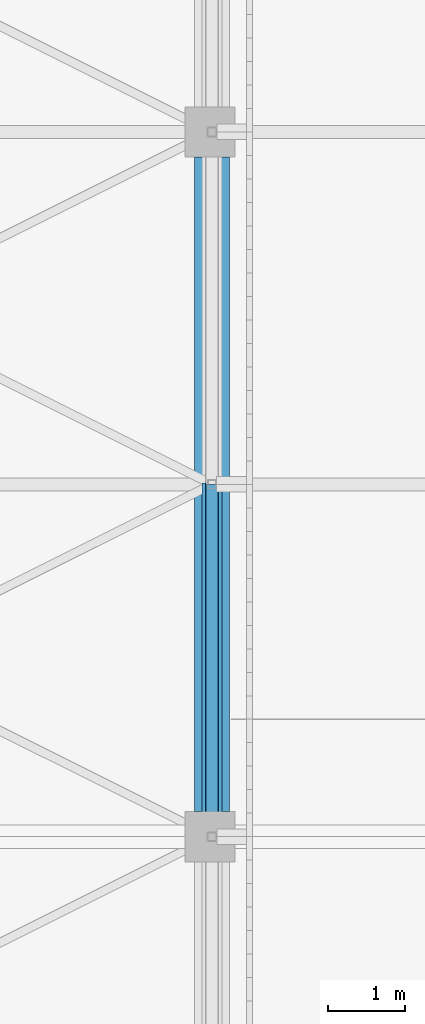
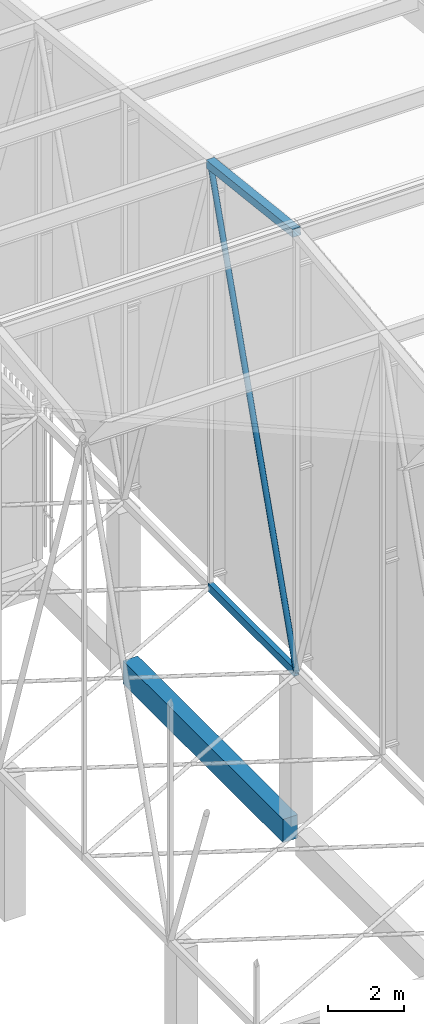
# One storey, part 374 of 500: 3 members, 1 beam.
"""IFC4 building model written with IfcOpenShell, lengths in metres."""

from ifc_helpers import new_model, si_unit, direction, frame, origin, origin_2d, place, context, subcontext, project, spatial, rectangle, hollow_rectangle, hollow_circle, extrude, material, material_profile, profile_set, type_object, element, save


model = new_model("IFC4")

# Units and contexts
model_context = context("Model", 3, precision=1e-05, world=origin(), true_north=direction((0.0, 1.0)))
body_context = subcontext(model_context, "Body", "Model", "MODEL_VIEW")
ifc_project = project(units=[si_unit("LENGTHUNIT", "METRE"), si_unit("AREAUNIT", "SQUARE_METRE"), si_unit("VOLUMEUNIT", "CUBIC_METRE"), si_unit("PLANEANGLEUNIT", "RADIAN"), si_unit("MASSUNIT", "GRAM", prefix="KILO")], contexts=[model_context])

# Site, building, storey
site_placement = place(None, origin())
site = spatial("IfcSite", under=ifc_project, at=site_placement, CompositionType="ELEMENT")
building_placement = place(site_placement, origin())
building = spatial("IfcBuilding", under=site, at=building_placement, Name="Shirokan Park Arena", CompositionType="ELEMENT")
storey_placement = place(building_placement, frame((0.0, 0.0, 29.1201171875)))
storey = spatial("IfcBuildingStorey", under=building, at=storey_placement, Name="L06", CompositionType="ELEMENT", Elevation=29.1201171875)

# Member
ifc_material_1 = material(Name="Steel ASTM A500 Grade C", Category="steel")
ifc_material_profile_1 = material_profile(ifc_material_1, hollow_rectangle(XDim=0.152099609375, YDim=0.25390625, WallThickness=0.009521484375, at=origin_2d()), Name="HSS254X152.4X9.5")
ifc_profile_set_1 = profile_set([ifc_material_profile_1], Name="Steel ASTM A500 Grade C")
member_type_1 = type_object("IfcMemberType", Name="Bottom chord HSS254X152.4X9.5", PredefinedType="CHORD", material=ifc_profile_set_1)
member_1_placement = place(storey_placement, frame((145.60009765625, 54.60009765625, 4.677001953125), z_axis=(0.0, 1.0, 0.0), x_axis=(-1.0, 0.0, 0.0)))
element("IfcMember", 1, at=member_1_placement, inside=storey, type_object=member_type_1, Name="Truss T17 bottom chord 15", PredefinedType="CHORD", context=body_context, shape_type="SweptSolid", body=[
    extrude(hollow_rectangle(XDim=0.152099609375, YDim=0.25390625, WallThickness=0.009521484375, at=origin_2d()), origin(), (0.0, 0.0, 1.0), 4.5498046875),
])

# Beam
ifc_material_2 = material(Name="Concrete C35", Category="concrete")
ifc_material_profile_2 = material_profile(ifc_material_2, rectangle(XDim=0.449951171875, YDim=0.75, at=origin_2d()), Name="450x750")
ifc_profile_set_2 = profile_set([ifc_material_profile_2], Name="Concrete C35")
beam_type = type_object("IfcBeamType", Name="RC girder 450x750", PredefinedType="BEAM", material=ifc_profile_set_2)
beam_placement = place(storey_placement, frame((145.60009765625, 54.925048828125, -0.5751953125), z_axis=(0.0, 1.0, 0.0), x_axis=(-1.0, 0.0, 0.0)))
element("IfcBeam", 2, at=beam_placement, inside=storey, type_object=beam_type, Name="Girder 17G-17H L06", PredefinedType="BEAM", context=body_context, shape_type="SweptSolid", body=[
    extrude(rectangle(XDim=0.449951171875, YDim=0.75, at=origin_2d()), origin(), (0.0, 0.0, 1.0), 8.449951171875),
])

# Members
ifc_material_profile_3 = material_profile(ifc_material_1, hollow_rectangle(XDim=0.25390625, YDim=0.25390625, WallThickness=0.009521484375, at=origin_2d()), Name="HSS254X254X9.5")
ifc_profile_set_3 = profile_set([ifc_material_profile_3], Name="Steel ASTM A500 Grade C")
member_type_2 = type_object("IfcMemberType", Name="Top chord HSS254X254X9.5", PredefinedType="CHORD", material=ifc_profile_set_3)
member_2_placement = place(storey_placement, frame((145.60009765625, 54.60009765625, 18.86279296875), z_axis=(0.0, 0.993531641592, -0.11355561261), x_axis=(-1.0, 0.0, 0.0)))
element("IfcMember", 3, at=member_2_placement, inside=storey, type_object=member_type_2, Name="Truss T17 top chord 15", PredefinedType="CHORD", context=body_context, shape_type="SweptSolid", body=[
    extrude(hollow_rectangle(XDim=0.25390625, YDim=0.25390625, WallThickness=0.009521484375, at=origin_2d()), origin(), (0.0, 0.0, 1.0), 4.579345703125),
])
ifc_material_profile_4 = material_profile(ifc_material_1, hollow_circle(Radius=0.083984375, WallThickness=0.009521484375, at=origin_2d()), Name="HSS168.3X9.5")
ifc_profile_set_4 = profile_set([ifc_material_profile_4], Name="Steel ASTM A500 Grade C")
member_type_3 = type_object("IfcMemberType", Name="Truss diagonal HSS168.3X9.5", PredefinedType="BRACE", material=ifc_profile_set_4)
member_3_placement = place(storey_placement, frame((145.60009765625, 54.60009765625, 4.677001953125), z_axis=(0.0, 0.315887043243, 0.948796804332), x_axis=(-1.0, 0.0, 0.0)))
element("IfcMember", 4, at=member_3_placement, inside=storey, type_object=member_type_3, Name="Truss T17 diagonal 15", PredefinedType="BRACE", context=body_context, shape_type="SweptSolid", body=[
    extrude(hollow_circle(Radius=0.083984375, WallThickness=0.009521484375, at=origin_2d()), origin(), (0.0, 0.0, 1.0), 14.4033203125),
])

save(model, "model.ifc")
